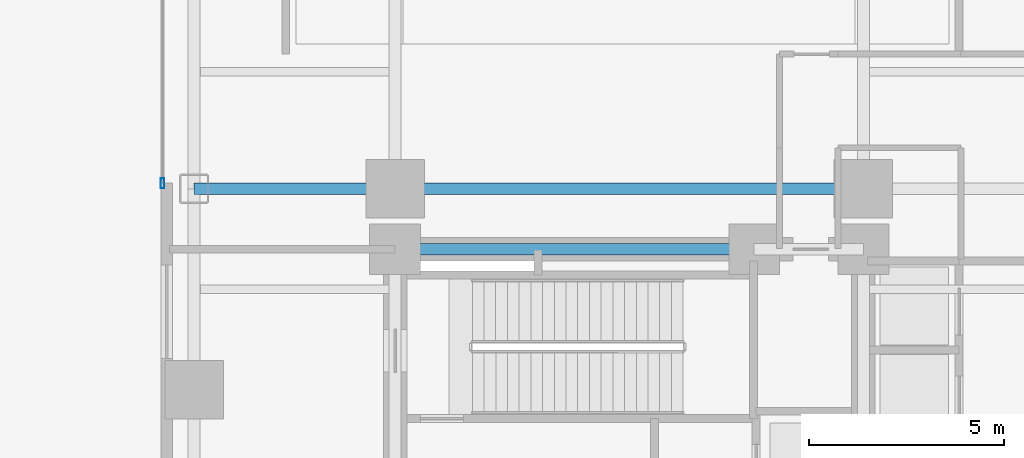
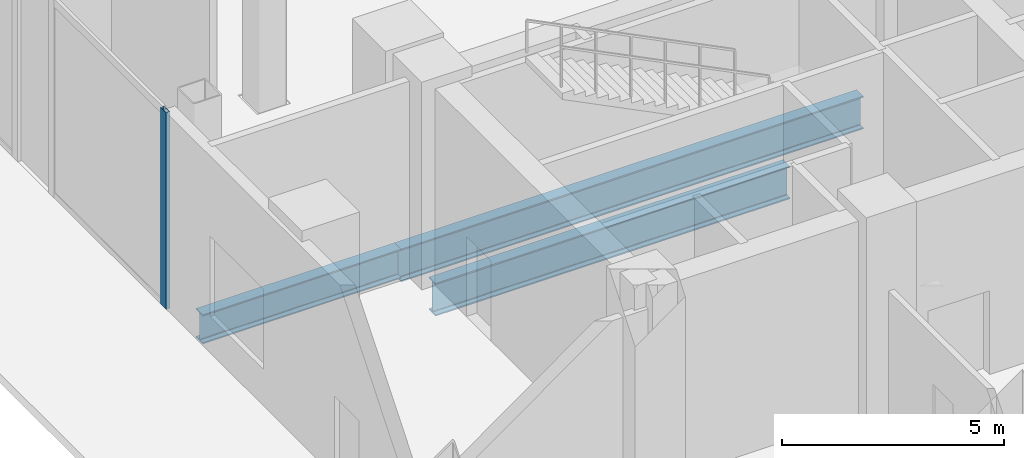
# One storey, part 5 of 27: 3 beams, 1 member, 1 element without a shape of its own.
"""IFC4 building model written with IfcOpenShell, lengths in metres."""

from ifc_helpers import new_model, si_unit, direction, frame, origin, origin_2d, place, context, subcontext, project, spatial, hollow_rectangle, i_section, extrude, material, layer, layer_set, material_profile, profile_set, type_object, element, aggregate, save


model = new_model("IFC4")

# Units and contexts
model_context = context("Model", 3, precision=1e-05, world=origin(), true_north=direction((0.0, 1.0)))
body_context = subcontext(model_context, "Body", "Model", "MODEL_VIEW")
ifc_project = project(units=[si_unit("LENGTHUNIT", "METRE"), si_unit("AREAUNIT", "SQUARE_METRE"), si_unit("VOLUMEUNIT", "CUBIC_METRE"), si_unit("PLANEANGLEUNIT", "RADIAN"), si_unit("MASSUNIT", "GRAM", prefix="KILO"), si_unit("THERMODYNAMICTEMPERATUREUNIT", "KELVIN"), si_unit("POWERUNIT", "WATT")], contexts=[model_context])

# Site, building, storey
site_placement = place(None, origin())
site = spatial("IfcSite", under=ifc_project, at=site_placement, CompositionType="ELEMENT")
building_placement = place(site_placement, origin())
building = spatial("IfcBuilding", under=site, at=building_placement, Name="Svarakhadi Broadcast Tower", CompositionType="ELEMENT")
storey_placement = place(building_placement, origin())
storey = spatial("IfcBuildingStorey", under=building, at=storey_placement, Name="L00", CompositionType="ELEMENT", Elevation=0.0)

# Curtain wall, member
ifc_material_1 = material(Name="Anodised Bronze Aluminium AA 6063-T6", Category="aluminium")
ifc_layer = layer(ifc_material_1, 0.25)
ifc_layer_set = layer_set([ifc_layer], Name="Anodised Bronze Aluminium AA 6063-T6")
curtain_wall_type = type_object("IfcCurtainWallType", Name="CW_Sys_01", PredefinedType="NOTDEFINED", material=ifc_layer_set)
curtain_wall_placement = place(storey_placement, origin())
curtain_wall = element("IfcCurtainWall", 1, at=curtain_wall_placement, inside=storey, type_object=curtain_wall_type, Name="L00 Podium Glazed Curtain Wall 06 Bay 1", PredefinedType="NOTDEFINED")
ifc_material_profile_1 = material_profile(ifc_material_1, hollow_rectangle(XDim=0.094970703125, YDim=0.25, WallThickness=0.006103515625, at=origin_2d()), Name="ALU MULLION 250x95x6")
ifc_profile_set_1 = profile_set([ifc_material_profile_1], Name="Anodised Bronze Aluminium AA 6063-T6")
member_type = type_object("IfcMemberType", Name="CW_Sys_01_Mul", PredefinedType="MULLION", material=ifc_profile_set_1)
member_placement = place(storey_placement, frame((0.0400390625, 29.28759765625, 0.0), z_axis=(0.0, 0.0, 1.0), x_axis=(-1.0, 0.0, 0.0)))
member = element("IfcMember", 2, at=member_placement, type_object=member_type, Name="CW-01 mullion 1", PredefinedType="MULLION", context=body_context, shape_type="SweptSolid", body=[
    extrude(hollow_rectangle(XDim=0.094970703125, YDim=0.25, WallThickness=0.006103515625, at=origin_2d()), origin(), (0.0, 0.0, 1.0), 5.39990234375),
])
aggregate(curtain_wall, [member])

# Beams
ifc_material_2 = material(Name="Steel S355J2 (IS 2062 E350C)", Category="steel")
ifc_material_profile_2 = material_profile(ifc_material_2, i_section(OverallWidth=0.300048828125, OverallDepth=0.800048828125, WebThickness=0.017578125, FlangeThickness=0.032958984375, FilletRadius=0.030029296875, at=origin_2d()), Name="WPB 800x300x262")
ifc_profile_set_2 = profile_set([ifc_material_profile_2], Name="Steel S355J2 (IS 2062 E350C)")
beam_type_1 = type_object("IfcBeamType", Name="Girder_WPB800", PredefinedType="USERDEFINED", material=ifc_profile_set_2)
beam_1_placement = place(storey_placement, frame((0.85009765625, 29.14990234375, -0.75), z_axis=(1.0, 0.0, 0.0), x_axis=(0.0, 1.0, 0.0)))
element("IfcBeam", 3, at=beam_1_placement, inside=storey, type_object=beam_type_1, Name="L00 Primary E-W Girder G032", ObjectType="GIRDER", PredefinedType="USERDEFINED", context=body_context, shape_type="SweptSolid", body=[
    extrude(i_section(OverallWidth=0.300048828125, OverallDepth=0.800048828125, WebThickness=0.017578125, FlangeThickness=0.032958984375, FilletRadius=0.030029296875, at=origin_2d()), origin(), (0.0, 0.0, 1.0), 5.14990234375),
])
ifc_material_3 = material(Name="Steel S460ML (IS 2062 E450BR)", Category="steel")
ifc_material_profile_3 = material_profile(ifc_material_3, i_section(OverallWidth=0.300048828125, OverallDepth=0.89990234375, WebThickness=0.0185546875, FlangeThickness=0.034912109375, FilletRadius=0.030029296875, at=origin_2d()), Name="WPB 900x300x291")
ifc_profile_set_3 = profile_set([ifc_material_profile_3], Name="Steel S460ML (IS 2062 E450BR)")
beam_type_2 = type_object("IfcBeamType", Name="Girder_WPB900", PredefinedType="USERDEFINED", material=ifc_profile_set_3)
beam_2_placement = place(storey_placement, frame((6.0, 27.60009765625, -0.800048828125), z_axis=(1.0, 0.0, 0.0), x_axis=(0.0, 1.0, 0.0)))
element("IfcBeam", 4, at=beam_2_placement, inside=storey, type_object=beam_type_2, Name="L00 Primary E-W Girder G030", ObjectType="GIRDER", PredefinedType="USERDEFINED", context=body_context, shape_type="SweptSolid", body=[
    extrude(i_section(OverallWidth=0.300048828125, OverallDepth=0.89990234375, WebThickness=0.0185546875, FlangeThickness=0.034912109375, FilletRadius=0.030029296875, at=origin_2d()), origin(), (0.0, 0.0, 1.0), 9.199951171875),
])
beam_3_placement = place(storey_placement, frame((6.0, 29.14990234375, -0.800048828125), z_axis=(1.0, 0.0, 0.0), x_axis=(0.0, 1.0, 0.0)))
element("IfcBeam", 5, at=beam_3_placement, inside=storey, type_object=beam_type_2, Name="L00 Primary E-W Girder G033", ObjectType="GIRDER", PredefinedType="USERDEFINED", context=body_context, shape_type="SweptSolid", body=[
    extrude(i_section(OverallWidth=0.300048828125, OverallDepth=0.89990234375, WebThickness=0.0185546875, FlangeThickness=0.034912109375, FilletRadius=0.030029296875, at=origin_2d()), origin(), (0.0, 0.0, 1.0), 12.0),
])

save(model, "model.ifc")
